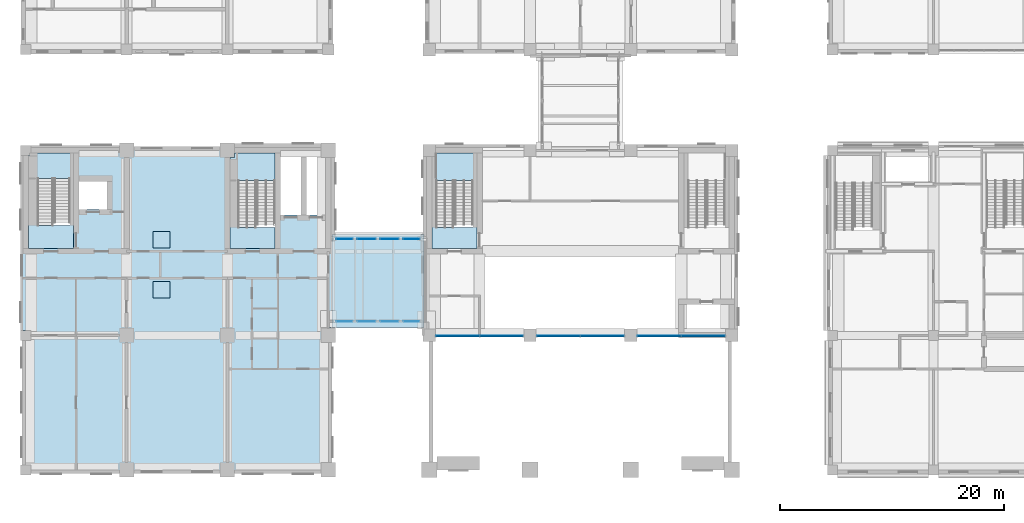
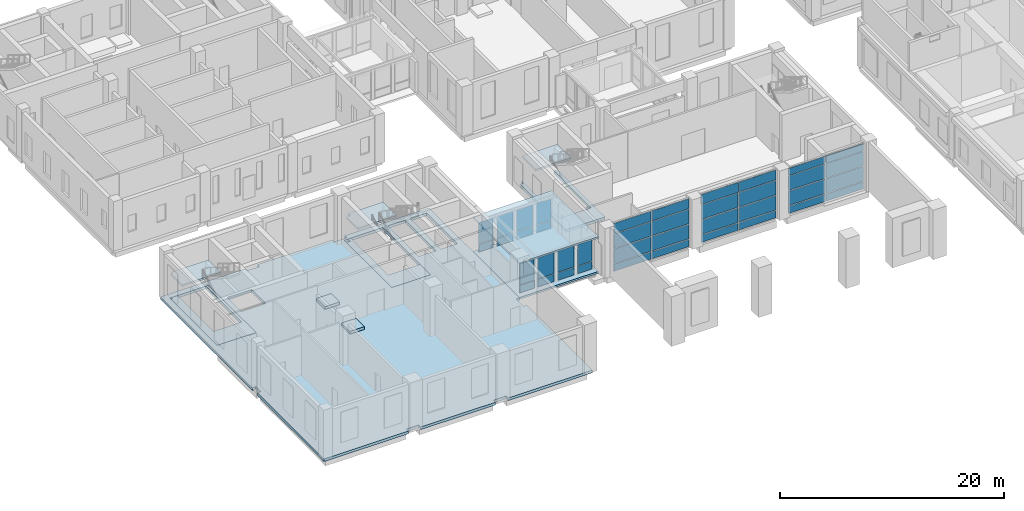
# One storey, part 22 of 52: 40 plates, 11 slabs, 14 elements without a shape of their own.
"""IFC4 building model written with IfcOpenShell, lengths in metres."""

from ifc_helpers import new_model, si_unit, direction, frame, origin, origin_2d, place, context, subcontext, project, spatial, polyline, rectangle, outline, extrude, material, layer, layer_set, type_object, element, aggregate, save


model = new_model("IFC4")

# Units and contexts
model_context = context("Model", 3, precision=1e-05, world=origin(), true_north=direction((0.0, 1.0)))
body_context = subcontext(model_context, "Body", "Model", "MODEL_VIEW")
ifc_project = project(units=[si_unit("LENGTHUNIT", "METRE"), si_unit("AREAUNIT", "SQUARE_METRE"), si_unit("VOLUMEUNIT", "CUBIC_METRE"), si_unit("PLANEANGLEUNIT", "RADIAN"), si_unit("MASSUNIT", "GRAM", prefix="KILO")], contexts=[model_context])

# Site, building, storey
site_placement = place(None, origin())
site = spatial("IfcSite", under=ifc_project, at=site_placement, CompositionType="ELEMENT")
building_placement = place(site_placement, origin())
building = spatial("IfcBuilding", under=site, at=building_placement, Name="Aurelan Courthouse", CompositionType="ELEMENT")
storey_placement = place(building_placement, frame((0.0, 0.0, 6.60009765625)))
storey = spatial("IfcBuildingStorey", under=building, at=storey_placement, Name="L01", CompositionType="ELEMENT", Elevation=6.60009765625)

# Curtain wall, plates
ifc_material_1 = material(Name="Bronze-finished aluminium and glass", Category="aluminium")
ifc_layer_1 = layer(ifc_material_1, 0.14990234375)
ifc_layer_set_1 = layer_set([ifc_layer_1], Name="Bronze-finished aluminium and glass")
curtain_wall_type_1 = type_object("IfcCurtainWallType", Name="Curtain wall 7900 x 5400", PredefinedType="NOTDEFINED", material=ifc_layer_set_1)
curtain_wall_1_placement = place(storey_placement, origin())
curtain_wall_1 = element("IfcCurtainWall", 1, at=curtain_wall_1_placement, inside=storey, type_object=curtain_wall_type_1, Name="Curtain wall CW-V1-L01-S01", PredefinedType="NOTDEFINED")
ifc_material_2 = material(Name="Limestone cladding", Category="masonry")
ifc_layer_2 = layer(ifc_material_2, 0.080078125, Name="Facing")
ifc_material_3 = material(Name="Bronze sheet cladding", Category="bronze")
ifc_layer_3 = layer(ifc_material_3, 0.02001953125, Name="Back sheet")
ifc_layer_set_2 = layer_set([ifc_layer_2, ifc_layer_3], Name="Limestone cladding")
plate_type_1 = type_object("IfcPlateType", Name="Limestone spandrel panel with bronze back sheet 100", PredefinedType="CURTAIN_PANEL", material=ifc_layer_set_2)
plate_1_placement = place(storey_placement, frame((38.544921875, 11.925048828125, 4.23974609375), z_axis=(0.0, 0.0, 1.0), x_axis=(1.0, 0.0, 0.0)))
plate_1 = element("IfcPlate", 2, at=plate_1_placement, type_object=plate_type_1, Name="CW-V1-L01-S01 spandrel panel 1.4", PredefinedType="CURTAIN_PANEL", context=body_context, shape_type="SweptSolid", body=[
    extrude(rectangle(XDim=3.830078125, YDim=0.10009765625, at=origin_2d()), origin(), (0.0, 0.0, 1.0), 1.080078125),
])
plate_2_placement = place(storey_placement, frame((42.455078125, 11.925048828125, 4.23974609375), z_axis=(0.0, 0.0, 1.0), x_axis=(1.0, 0.0, 0.0)))
plate_2 = element("IfcPlate", 3, at=plate_2_placement, type_object=plate_type_1, Name="CW-V1-L01-S01 spandrel panel 2.4", PredefinedType="CURTAIN_PANEL", context=body_context, shape_type="SweptSolid", body=[
    extrude(rectangle(XDim=3.830078125, YDim=0.10009765625, at=origin_2d()), origin(), (0.0, 0.0, 1.0), 1.080078125),
])

curtain_wall_2_placement = place(storey_placement, origin())
curtain_wall_2 = element("IfcCurtainWall", 4, at=curtain_wall_2_placement, inside=storey, type_object=curtain_wall_type_1, Name="Curtain wall CW-V1-L01-S02", PredefinedType="NOTDEFINED")
plate_3_placement = place(storey_placement, frame((47.544921875, 11.925048828125, 4.23974609375), z_axis=(0.0, 0.0, 1.0), x_axis=(1.0, 0.0, 0.0)))
plate_3 = element("IfcPlate", 5, at=plate_3_placement, type_object=plate_type_1, Name="CW-V1-L01-S02 spandrel panel 1.4", PredefinedType="CURTAIN_PANEL", context=body_context, shape_type="SweptSolid", body=[
    extrude(rectangle(XDim=3.830078125, YDim=0.10009765625, at=origin_2d()), origin(), (0.0, 0.0, 1.0), 1.080078125),
])
plate_4_placement = place(storey_placement, frame((51.455078125, 11.925048828125, 4.23974609375), z_axis=(0.0, 0.0, 1.0), x_axis=(1.0, 0.0, 0.0)))
plate_4 = element("IfcPlate", 6, at=plate_4_placement, type_object=plate_type_1, Name="CW-V1-L01-S02 spandrel panel 2.4", PredefinedType="CURTAIN_PANEL", context=body_context, shape_type="SweptSolid", body=[
    extrude(rectangle(XDim=3.830078125, YDim=0.10009765625, at=origin_2d()), origin(), (0.0, 0.0, 1.0), 1.080078125),
])

ifc_layer_4 = layer(ifc_material_1, 0.14990234375)
ifc_layer_set_3 = layer_set([ifc_layer_4], Name="Bronze-finished aluminium and glass")
curtain_wall_type_2 = type_object("IfcCurtainWallType", Name="Curtain wall 7900 x 5100", PredefinedType="NOTDEFINED", material=ifc_layer_set_3)
curtain_wall_3_placement = place(storey_placement, origin())
curtain_wall_3 = element("IfcCurtainWall", 7, at=curtain_wall_3_placement, inside=storey, type_object=curtain_wall_type_2, Name="Curtain wall CW-V1-L01-S03", PredefinedType="NOTDEFINED")
plate_5_placement = place(storey_placement, frame((56.544921875, 11.925048828125, 4.23974609375), z_axis=(0.0, 0.0, 1.0), x_axis=(1.0, 0.0, 0.0)))
plate_5 = element("IfcPlate", 8, at=plate_5_placement, type_object=plate_type_1, Name="CW-V1-L01-S03 spandrel panel 1.4", PredefinedType="CURTAIN_PANEL", context=body_context, shape_type="SweptSolid", body=[
    extrude(rectangle(XDim=3.830078125, YDim=0.10009765625, at=origin_2d()), origin(), (0.0, 0.0, 1.0), 0.780029296875),
])
plate_6_placement = place(storey_placement, frame((60.455078125, 11.925048828125, 4.23974609375), z_axis=(0.0, 0.0, 1.0), x_axis=(1.0, 0.0, 0.0)))
plate_6 = element("IfcPlate", 9, at=plate_6_placement, type_object=plate_type_1, Name="CW-V1-L01-S03 spandrel panel 2.4", PredefinedType="CURTAIN_PANEL", context=body_context, shape_type="SweptSolid", body=[
    extrude(rectangle(XDim=3.830078125, YDim=0.10009765625, at=origin_2d()), origin(), (0.0, 0.0, 1.0), 0.780029296875),
])

# Slabs
ifc_material_4 = material(Name="Concrete C40", Category="concrete")
ifc_layer_5 = layer(ifc_material_4, 0.199951171875)
ifc_layer_set_4 = layer_set([ifc_layer_5], Name="Concrete C40")
slab_type_1 = type_object("IfcSlabType", Name="PT bridge floor slab 200", PredefinedType="FLOOR", material=ifc_layer_set_4)
slab_1_placement = place(storey_placement, frame((0.0, 0.0, -0.2001953125)))
element("IfcSlab", 10, at=slab_1_placement, inside=storey, type_object=slab_type_1, Name="Passage floor slab BR1", PredefinedType="FLOOR", context=body_context, shape_type="SweptSolid", body=[
    extrude(outline(polyline([(27.35009765625, 12.699951171875), (35.52490234375, 12.699951171875), (35.52490234375, 21.0), (27.35009765625, 21.0), (27.35009765625, 12.699951171875)])), origin(), (0.0, 0.0, 1.0), 0.2001953125),
])
ifc_layer_6 = layer(ifc_material_4, 0.300048828125)
ifc_layer_set_5 = layer_set([ifc_layer_6], Name="Concrete C40")
slab_type_2 = type_object("IfcSlabType", Name="PT floor slab 300", PredefinedType="FLOOR", material=ifc_layer_set_5)
slab_2_placement = place(storey_placement, frame((0.0, 0.0, -0.300048828125)))
element("IfcSlab", 11, at=slab_2_placement, inside=storey, type_object=slab_type_2, Name="Floor slab SL-L01-05", PredefinedType="FLOOR", context=body_context, shape_type="SweptSolid", body=[
    extrude(outline(polyline([(0.0, 12.449951171875), (0.0, 11.550048828125), (-0.35009765625, 11.550048828125), (-0.35009765625, 0.449951171875), (-0.35009765625, -0.35009765625), (0.449951171875, -0.35009765625), (8.35009765625, -0.35009765625), (8.35009765625, 0.0), (9.64990234375, 0.0), (9.64990234375, -0.35009765625), (17.35009765625, -0.35009765625), (17.35009765625, 0.0), (18.64990234375, 0.0), (18.64990234375, -0.35009765625), (26.35009765625, -0.35009765625), (27.35009765625, -0.35009765625), (27.35009765625, 0.64990234375), (27.35009765625, 11.35009765625), (27.0, 11.35009765625), (27.0, 12.64990234375), (27.35009765625, 12.64990234375), (27.35009765625, 27.85009765625), (27.35009765625, 28.85009765625), (26.35009765625, 28.85009765625), (18.64990234375, 28.85009765625), (18.64990234375, 28.5), (17.35009765625, 28.5), (17.35009765625, 28.85009765625), (9.64990234375, 28.85009765625), (9.64990234375, 28.5), (8.35009765625, 28.5), (8.35009765625, 28.85009765625), (0.449951171875, 28.85009765625), (-0.35009765625, 28.85009765625), (-0.35009765625, 28.050048828125), (-0.35009765625, 12.449951171875), (0.0, 12.449951171875)]), holes=[polyline([(26.75, 28.25), (26.75, 22.75), (25.050048828125, 22.75), (25.050048828125, 28.25), (26.75, 28.25)]), polyline([(22.75, 28.25), (24.550048828125, 28.25), (24.550048828125, 22.75), (22.75, 22.75), (22.75, 28.25)]), polyline([(22.25, 28.25), (22.25, 19.75), (18.25, 19.75), (18.25, 28.25), (22.25, 28.25)]), polyline([(4.75, 23.25), (4.75, 25.75), (7.25, 25.75), (7.25, 23.25), (4.75, 23.25)]), polyline([(4.25, 19.75), (0.25, 19.75), (0.25, 28.25), (4.25, 28.25), (4.25, 19.75)])]), origin(), (0.0, 0.0, 1.0), 0.300048828125),
])

# Curtain wall, plate
ifc_layer_7 = layer(ifc_material_1, 0.1201171875)
ifc_layer_set_6 = layer_set([ifc_layer_7], Name="Bronze-finished aluminium and glass")
curtain_wall_type_3 = type_object("IfcCurtainWallType", Name="Passage glazing 1594 x 3300", PredefinedType="NOTDEFINED", material=ifc_layer_set_6)
curtain_wall_4_placement = place(storey_placement, origin())
curtain_wall_4 = element("IfcCurtainWall", 12, at=curtain_wall_4_placement, inside=storey, type_object=curtain_wall_type_3, Name="Curtain wall CW-L01-BR101", PredefinedType="NOTDEFINED")
ifc_material_5 = material(Name="Laminated low-emissivity glass", Category="glass")
ifc_layer_8 = layer(ifc_material_5, 0.028076171875)
ifc_layer_set_7 = layer_set([ifc_layer_8], Name="Laminated low-emissivity glass")
plate_type_2 = type_object("IfcPlateType", Name="Passage glazing glass panel 28", PredefinedType="CURTAIN_PANEL", material=ifc_layer_set_7)
plate_7_placement = place(storey_placement, frame((28.447021484375, 13.25, 0.927490234375), z_axis=(0.0, 0.0, 1.0), x_axis=(1.0, 0.0, 0.0)))
plate_7 = element("IfcPlate", 13, at=plate_7_placement, type_object=plate_type_2, Name="CW-L01-BR101 panel 1.2", PredefinedType="CURTAIN_PANEL", context=body_context, shape_type="SweptSolid", body=[
    extrude(rectangle(XDim=1.48388671875, YDim=0.028076171875, at=origin_2d()), origin(), (0.0, 0.0, 1.0), 2.3173828125),
])

ifc_layer_9 = layer(ifc_material_1, 0.1201171875)
ifc_layer_set_8 = layer_set([ifc_layer_9], Name="Bronze-finished aluminium and glass")
curtain_wall_type_4 = type_object("IfcCurtainWallType", Name="Passage glazing 1744 x 3300", PredefinedType="NOTDEFINED", material=ifc_layer_set_8)
curtain_wall_5_placement = place(storey_placement, origin())
curtain_wall_5 = element("IfcCurtainWall", 14, at=curtain_wall_5_placement, inside=storey, type_object=curtain_wall_type_4, Name="Curtain wall CW-L01-BR102", PredefinedType="NOTDEFINED")
plate_8_placement = place(storey_placement, frame((30.41552734375, 13.25, 0.927490234375), z_axis=(0.0, 0.0, 1.0), x_axis=(1.0, 0.0, 0.0)))
plate_8 = element("IfcPlate", 15, at=plate_8_placement, type_object=plate_type_2, Name="CW-L01-BR102 panel 1.2", PredefinedType="CURTAIN_PANEL", context=body_context, shape_type="SweptSolid", body=[
    extrude(rectangle(XDim=1.6337890625, YDim=0.028076171875, at=origin_2d()), origin(), (0.0, 0.0, 1.0), 2.3173828125),
])

curtain_wall_6_placement = place(storey_placement, origin())
curtain_wall_6 = element("IfcCurtainWall", 16, at=curtain_wall_6_placement, inside=storey, type_object=curtain_wall_type_4, Name="Curtain wall CW-L01-BR103", PredefinedType="NOTDEFINED")
plate_9_placement = place(storey_placement, frame((32.45947265625, 13.25, 0.927490234375), z_axis=(0.0, 0.0, 1.0), x_axis=(1.0, 0.0, 0.0)))
plate_9 = element("IfcPlate", 17, at=plate_9_placement, type_object=plate_type_2, Name="CW-L01-BR103 panel 1.2", PredefinedType="CURTAIN_PANEL", context=body_context, shape_type="SweptSolid", body=[
    extrude(rectangle(XDim=1.6337890625, YDim=0.028076171875, at=origin_2d()), origin(), (0.0, 0.0, 1.0), 2.3173828125),
])

curtain_wall_7_placement = place(storey_placement, origin())
curtain_wall_7 = element("IfcCurtainWall", 18, at=curtain_wall_7_placement, inside=storey, type_object=curtain_wall_type_3, Name="Curtain wall CW-L01-BR104", PredefinedType="NOTDEFINED")
plate_10_placement = place(storey_placement, frame((34.42822265625, 13.25, 0.927490234375), z_axis=(0.0, 0.0, 1.0), x_axis=(1.0, 0.0, 0.0)))
plate_10 = element("IfcPlate", 19, at=plate_10_placement, type_object=plate_type_2, Name="CW-L01-BR104 panel 1.2", PredefinedType="CURTAIN_PANEL", context=body_context, shape_type="SweptSolid", body=[
    extrude(rectangle(XDim=1.483642578125, YDim=0.028076171875, at=origin_2d()), origin(), (0.0, 0.0, 1.0), 2.3173828125),
])

curtain_wall_8_placement = place(storey_placement, origin())
curtain_wall_8 = element("IfcCurtainWall", 20, at=curtain_wall_8_placement, inside=storey, type_object=curtain_wall_type_3, Name="Curtain wall CW-L01-BR105", PredefinedType="NOTDEFINED")
plate_11_placement = place(storey_placement, frame((28.447021484375, 20.60009765625, 0.927490234375), z_axis=(0.0, 0.0, 1.0), x_axis=(1.0, 0.0, 0.0)))
plate_11 = element("IfcPlate", 21, at=plate_11_placement, type_object=plate_type_2, Name="CW-L01-BR105 panel 1.2", PredefinedType="CURTAIN_PANEL", context=body_context, shape_type="SweptSolid", body=[
    extrude(rectangle(XDim=1.48388671875, YDim=0.028076171875, at=origin_2d()), origin(), (0.0, 0.0, 1.0), 2.3173828125),
])

curtain_wall_9_placement = place(storey_placement, origin())
curtain_wall_9 = element("IfcCurtainWall", 22, at=curtain_wall_9_placement, inside=storey, type_object=curtain_wall_type_4, Name="Curtain wall CW-L01-BR106", PredefinedType="NOTDEFINED")
plate_12_placement = place(storey_placement, frame((30.41552734375, 20.60009765625, 0.927490234375), z_axis=(0.0, 0.0, 1.0), x_axis=(1.0, 0.0, 0.0)))
plate_12 = element("IfcPlate", 23, at=plate_12_placement, type_object=plate_type_2, Name="CW-L01-BR106 panel 1.2", PredefinedType="CURTAIN_PANEL", context=body_context, shape_type="SweptSolid", body=[
    extrude(rectangle(XDim=1.6337890625, YDim=0.028076171875, at=origin_2d()), origin(), (0.0, 0.0, 1.0), 2.3173828125),
])

curtain_wall_10_placement = place(storey_placement, origin())
curtain_wall_10 = element("IfcCurtainWall", 24, at=curtain_wall_10_placement, inside=storey, type_object=curtain_wall_type_4, Name="Curtain wall CW-L01-BR107", PredefinedType="NOTDEFINED")
plate_13_placement = place(storey_placement, frame((32.45947265625, 20.60009765625, 0.927490234375), z_axis=(0.0, 0.0, 1.0), x_axis=(1.0, 0.0, 0.0)))
plate_13 = element("IfcPlate", 25, at=plate_13_placement, type_object=plate_type_2, Name="CW-L01-BR107 panel 1.2", PredefinedType="CURTAIN_PANEL", context=body_context, shape_type="SweptSolid", body=[
    extrude(rectangle(XDim=1.6337890625, YDim=0.028076171875, at=origin_2d()), origin(), (0.0, 0.0, 1.0), 2.3173828125),
])

curtain_wall_11_placement = place(storey_placement, origin())
curtain_wall_11 = element("IfcCurtainWall", 26, at=curtain_wall_11_placement, inside=storey, type_object=curtain_wall_type_3, Name="Curtain wall CW-L01-BR108", PredefinedType="NOTDEFINED")
plate_14_placement = place(storey_placement, frame((34.42822265625, 20.60009765625, 0.927490234375), z_axis=(0.0, 0.0, 1.0), x_axis=(1.0, 0.0, 0.0)))
plate_14 = element("IfcPlate", 27, at=plate_14_placement, type_object=plate_type_2, Name="CW-L01-BR108 panel 1.2", PredefinedType="CURTAIN_PANEL", context=body_context, shape_type="SweptSolid", body=[
    extrude(rectangle(XDim=1.483642578125, YDim=0.028076171875, at=origin_2d()), origin(), (0.0, 0.0, 1.0), 2.3173828125),
])

# Slab
ifc_material_6 = material(Name="Composite steel deck S355 with concrete topping C30/37", Category="concrete")
ifc_layer_10 = layer(ifc_material_6, 0.199951171875)
ifc_layer_set_9 = layer_set([ifc_layer_10], Name="Composite steel deck S355 with concrete topping C30/37")
slab_type_3 = type_object("IfcSlabType", Name="Passage roof deck 200", PredefinedType="ROOF", material=ifc_layer_set_9)
slab_3_placement = place(storey_placement, frame((0.0, 0.0, 3.599853515625)))
element("IfcSlab", 28, at=slab_3_placement, inside=storey, type_object=slab_type_3, Name="Passage roof BR1", PredefinedType="ROOF", context=body_context, shape_type="SweptSolid", body=[
    extrude(outline(polyline([(27.35009765625, 12.699951171875), (35.52490234375, 12.699951171875), (35.52490234375, 21.0), (27.35009765625, 21.0), (27.35009765625, 12.699951171875)])), origin(), (0.0, 0.0, 1.0), 0.199951171875),
])

# Plate
ifc_material_7 = material(Name="Bronze-finished aluminium", Category="aluminium")
ifc_layer_11 = layer(ifc_material_7, 0.0400390625)
ifc_layer_set_10 = layer_set([ifc_layer_11], Name="Bronze-finished aluminium")
plate_type_3 = type_object("IfcPlateType", Name="Passage sill panel 40", PredefinedType="CURTAIN_PANEL", material=ifc_layer_set_10)
plate_15_placement = place(storey_placement, frame((28.447021484375, 13.25, 0.054931640625), z_axis=(0.0, 0.0, 1.0), x_axis=(1.0, 0.0, 0.0)))
plate_15 = element("IfcPlate", 29, at=plate_15_placement, type_object=plate_type_3, Name="CW-L01-BR101 panel 1.1", PredefinedType="CURTAIN_PANEL", context=body_context, shape_type="SweptSolid", body=[
    extrude(rectangle(XDim=1.48388671875, YDim=0.0400390625, at=origin_2d()), origin(), (0.0, 0.0, 1.0), 0.8173828125),
])

aggregate(curtain_wall_4, [plate_15, plate_7])

plate_16_placement = place(storey_placement, frame((30.41552734375, 13.25, 0.054931640625), z_axis=(0.0, 0.0, 1.0), x_axis=(1.0, 0.0, 0.0)))
plate_16 = element("IfcPlate", 30, at=plate_16_placement, type_object=plate_type_3, Name="CW-L01-BR102 panel 1.1", PredefinedType="CURTAIN_PANEL", context=body_context, shape_type="SweptSolid", body=[
    extrude(rectangle(XDim=1.6337890625, YDim=0.0400390625, at=origin_2d()), origin(), (0.0, 0.0, 1.0), 0.8173828125),
])

aggregate(curtain_wall_5, [plate_16, plate_8])

plate_17_placement = place(storey_placement, frame((32.45947265625, 13.25, 0.054931640625), z_axis=(0.0, 0.0, 1.0), x_axis=(1.0, 0.0, 0.0)))
plate_17 = element("IfcPlate", 31, at=plate_17_placement, type_object=plate_type_3, Name="CW-L01-BR103 panel 1.1", PredefinedType="CURTAIN_PANEL", context=body_context, shape_type="SweptSolid", body=[
    extrude(rectangle(XDim=1.6337890625, YDim=0.0400390625, at=origin_2d()), origin(), (0.0, 0.0, 1.0), 0.8173828125),
])

aggregate(curtain_wall_6, [plate_17, plate_9])

plate_18_placement = place(storey_placement, frame((34.42822265625, 13.25, 0.054931640625), z_axis=(0.0, 0.0, 1.0), x_axis=(1.0, 0.0, 0.0)))
plate_18 = element("IfcPlate", 32, at=plate_18_placement, type_object=plate_type_3, Name="CW-L01-BR104 panel 1.1", PredefinedType="CURTAIN_PANEL", context=body_context, shape_type="SweptSolid", body=[
    extrude(rectangle(XDim=1.483642578125, YDim=0.0400390625, at=origin_2d()), origin(), (0.0, 0.0, 1.0), 0.8173828125),
])

aggregate(curtain_wall_7, [plate_18, plate_10])

plate_19_placement = place(storey_placement, frame((28.447021484375, 20.60009765625, 0.054931640625), z_axis=(0.0, 0.0, 1.0), x_axis=(1.0, 0.0, 0.0)))
plate_19 = element("IfcPlate", 33, at=plate_19_placement, type_object=plate_type_3, Name="CW-L01-BR105 panel 1.1", PredefinedType="CURTAIN_PANEL", context=body_context, shape_type="SweptSolid", body=[
    extrude(rectangle(XDim=1.48388671875, YDim=0.0400390625, at=origin_2d()), origin(), (0.0, 0.0, 1.0), 0.8173828125),
])

aggregate(curtain_wall_8, [plate_19, plate_11])

plate_20_placement = place(storey_placement, frame((30.41552734375, 20.60009765625, 0.054931640625), z_axis=(0.0, 0.0, 1.0), x_axis=(1.0, 0.0, 0.0)))
plate_20 = element("IfcPlate", 34, at=plate_20_placement, type_object=plate_type_3, Name="CW-L01-BR106 panel 1.1", PredefinedType="CURTAIN_PANEL", context=body_context, shape_type="SweptSolid", body=[
    extrude(rectangle(XDim=1.6337890625, YDim=0.0400390625, at=origin_2d()), origin(), (0.0, 0.0, 1.0), 0.8173828125),
])

aggregate(curtain_wall_9, [plate_20, plate_12])

plate_21_placement = place(storey_placement, frame((32.45947265625, 20.60009765625, 0.054931640625), z_axis=(0.0, 0.0, 1.0), x_axis=(1.0, 0.0, 0.0)))
plate_21 = element("IfcPlate", 35, at=plate_21_placement, type_object=plate_type_3, Name="CW-L01-BR107 panel 1.1", PredefinedType="CURTAIN_PANEL", context=body_context, shape_type="SweptSolid", body=[
    extrude(rectangle(XDim=1.6337890625, YDim=0.0400390625, at=origin_2d()), origin(), (0.0, 0.0, 1.0), 0.8173828125),
])

aggregate(curtain_wall_10, [plate_21, plate_13])

plate_22_placement = place(storey_placement, frame((34.42822265625, 20.60009765625, 0.054931640625), z_axis=(0.0, 0.0, 1.0), x_axis=(1.0, 0.0, 0.0)))
plate_22 = element("IfcPlate", 36, at=plate_22_placement, type_object=plate_type_3, Name="CW-L01-BR108 panel 1.1", PredefinedType="CURTAIN_PANEL", context=body_context, shape_type="SweptSolid", body=[
    extrude(rectangle(XDim=1.483642578125, YDim=0.0400390625, at=origin_2d()), origin(), (0.0, 0.0, 1.0), 0.8173828125),
])

aggregate(curtain_wall_11, [plate_22, plate_14])

ifc_layer_12 = layer(ifc_material_7, 0.050048828125)
ifc_layer_set_11 = layer_set([ifc_layer_12], Name="Bronze-finished aluminium")
plate_type_4 = type_object("IfcPlateType", Name="Sill panel 50", PredefinedType="CURTAIN_PANEL", material=ifc_layer_set_11)
plate_23_placement = place(storey_placement, frame((38.544921875, 11.925048828125, 0.080078125), z_axis=(0.0, 0.0, 1.0), x_axis=(1.0, 0.0, 0.0)))
plate_23 = element("IfcPlate", 37, at=plate_23_placement, type_object=plate_type_4, Name="CW-V1-L01-S01 sill panel 1.1", PredefinedType="CURTAIN_PANEL", context=body_context, shape_type="SweptSolid", body=[
    extrude(rectangle(XDim=3.830078125, YDim=0.050048828125, at=origin_2d()), origin(), (0.0, 0.0, 1.0), 0.780029296875),
])

plate_24_placement = place(storey_placement, frame((42.455078125, 11.925048828125, 0.080078125), z_axis=(0.0, 0.0, 1.0), x_axis=(1.0, 0.0, 0.0)))
plate_24 = element("IfcPlate", 38, at=plate_24_placement, type_object=plate_type_4, Name="CW-V1-L01-S01 sill panel 2.1", PredefinedType="CURTAIN_PANEL", context=body_context, shape_type="SweptSolid", body=[
    extrude(rectangle(XDim=3.830078125, YDim=0.050048828125, at=origin_2d()), origin(), (0.0, 0.0, 1.0), 0.780029296875),
])

plate_25_placement = place(storey_placement, frame((47.544921875, 11.925048828125, 0.080078125), z_axis=(0.0, 0.0, 1.0), x_axis=(1.0, 0.0, 0.0)))
plate_25 = element("IfcPlate", 39, at=plate_25_placement, type_object=plate_type_4, Name="CW-V1-L01-S02 sill panel 1.1", PredefinedType="CURTAIN_PANEL", context=body_context, shape_type="SweptSolid", body=[
    extrude(rectangle(XDim=3.830078125, YDim=0.050048828125, at=origin_2d()), origin(), (0.0, 0.0, 1.0), 0.780029296875),
])

plate_26_placement = place(storey_placement, frame((51.455078125, 11.925048828125, 0.080078125), z_axis=(0.0, 0.0, 1.0), x_axis=(1.0, 0.0, 0.0)))
plate_26 = element("IfcPlate", 40, at=plate_26_placement, type_object=plate_type_4, Name="CW-V1-L01-S02 sill panel 2.1", PredefinedType="CURTAIN_PANEL", context=body_context, shape_type="SweptSolid", body=[
    extrude(rectangle(XDim=3.830078125, YDim=0.050048828125, at=origin_2d()), origin(), (0.0, 0.0, 1.0), 0.780029296875),
])

plate_27_placement = place(storey_placement, frame((56.544921875, 11.925048828125, 0.080078125), z_axis=(0.0, 0.0, 1.0), x_axis=(1.0, 0.0, 0.0)))
plate_27 = element("IfcPlate", 41, at=plate_27_placement, type_object=plate_type_4, Name="CW-V1-L01-S03 sill panel 1.1", PredefinedType="CURTAIN_PANEL", context=body_context, shape_type="SweptSolid", body=[
    extrude(rectangle(XDim=3.830078125, YDim=0.050048828125, at=origin_2d()), origin(), (0.0, 0.0, 1.0), 0.780029296875),
])

plate_28_placement = place(storey_placement, frame((60.455078125, 11.925048828125, 0.080078125), z_axis=(0.0, 0.0, 1.0), x_axis=(1.0, 0.0, 0.0)))
plate_28 = element("IfcPlate", 42, at=plate_28_placement, type_object=plate_type_4, Name="CW-V1-L01-S03 sill panel 2.1", PredefinedType="CURTAIN_PANEL", context=body_context, shape_type="SweptSolid", body=[
    extrude(rectangle(XDim=3.830078125, YDim=0.050048828125, at=origin_2d()), origin(), (0.0, 0.0, 1.0), 0.780029296875),
])

# Stair, slab
ifc_material_8 = material(Name="Concrete C30", Category="concrete")
stair_type_1 = type_object("IfcStairType", Name="Half-turn stair 1600 wide 31 risers", PredefinedType="HALF_TURN_STAIR", material=ifc_material_8)
stair_1_placement = place(storey_placement, origin())
stair_1 = element("IfcStair", 43, at=stair_1_placement, inside=storey, type_object=stair_type_1, Name="Stair ST-1W-L01", PredefinedType="HALF_TURN_STAIR")
ifc_layer_13 = layer(ifc_material_8, 0.300048828125)
ifc_layer_set_12 = layer_set([ifc_layer_13], Name="Concrete C30")
slab_type_4 = type_object("IfcSlabType", Name="Stair floor landing 300 thick", PredefinedType="LANDING", material=ifc_layer_set_12)
slab_4_placement = place(storey_placement, frame((0.0, 0.0, -0.300048828125)))
slab_4 = element("IfcSlab", 44, at=slab_4_placement, type_object=slab_type_4, Name="Stair ST-1W-L01 floor landing", PredefinedType="LANDING", context=body_context, shape_type="SweptSolid", body=[
    extrude(outline(polyline([(36.60009765625, 21.611083984375), (38.300048828125, 21.611083984375), (39.89990234375, 21.611083984375), (39.89990234375, 28.25), (40.25, 28.25), (40.25, 19.75), (36.25, 19.75), (36.25, 27.949951171875), (36.550048828125, 27.949951171875), (36.550048828125, 28.25), (36.60009765625, 28.25), (36.60009765625, 21.611083984375)])), origin(), (0.0, 0.0, 1.0), 0.300048828125),
])

stair_2_placement = place(storey_placement, origin())
stair_2 = element("IfcStair", 45, at=stair_2_placement, inside=storey, type_object=stair_type_1, Name="Stair ST-5A-L01", PredefinedType="HALF_TURN_STAIR")
slab_5_placement = place(storey_placement, frame((0.0, 0.0, -0.300048828125)))
slab_5 = element("IfcSlab", 46, at=slab_5_placement, type_object=slab_type_4, Name="Stair ST-5A-L01 floor landing", PredefinedType="LANDING", context=body_context, shape_type="SweptSolid", body=[
    extrude(outline(polyline([(18.949951171875, 21.611083984375), (20.64990234375, 21.611083984375), (22.25, 21.611083984375), (22.25, 21.60888671875), (22.25, 19.75), (18.25, 19.75), (18.25, 27.85009765625), (18.64990234375, 27.85009765625), (18.64990234375, 28.25), (18.949951171875, 28.25), (18.949951171875, 21.611083984375)])), origin(), (0.0, 0.0, 1.0), 0.300048828125),
])

stair_type_2 = type_object("IfcStairType", Name="Half-turn stair 1400 wide 31 risers", PredefinedType="HALF_TURN_STAIR", material=ifc_material_8)
stair_3_placement = place(storey_placement, origin())
stair_3 = element("IfcStair", 47, at=stair_3_placement, inside=storey, type_object=stair_type_2, Name="Stair ST-5B-L01", PredefinedType="HALF_TURN_STAIR")
slab_6_placement = place(storey_placement, frame((0.0, 0.0, -0.300048828125)))
slab_6 = element("IfcSlab", 48, at=slab_6_placement, type_object=slab_type_4, Name="Stair ST-5B-L01 floor landing", PredefinedType="LANDING", context=body_context, shape_type="SweptSolid", body=[
    extrude(outline(polyline([(1.06005859375, 28.25), (1.06005859375, 21.81103515625), (2.56005859375, 21.81103515625), (3.9599609375, 21.81103515625), (3.9599609375, 28.25), (4.25, 28.25), (4.25, 19.75), (0.409912109375, 19.75), (0.39990234375, 19.75), (0.25, 19.75), (0.25, 28.050048828125), (0.449951171875, 28.050048828125), (0.449951171875, 28.25), (1.06005859375, 28.25)])), origin(), (0.0, 0.0, 1.0), 0.300048828125),
])

# Slab
ifc_layer_14 = layer(ifc_material_8, 0.199951171875)
ifc_layer_set_13 = layer_set([ifc_layer_14], Name="Concrete C30")
slab_type_5 = type_object("IfcSlabType", Name="Stair half landing 200 thick", PredefinedType="LANDING", material=ifc_layer_set_13)
slab_7_placement = place(storey_placement, frame((0.0, 0.0, 2.5869140625)))
slab_7 = element("IfcSlab", 49, at=slab_7_placement, type_object=slab_type_5, Name="Stair ST-1W-L01 half landing", PredefinedType="LANDING", context=body_context, shape_type="SweptSolid", body=[
    extrude(outline(polyline([(36.60009765625, 28.25), (40.25, 28.25), (40.25, 25.81005859375), (36.60009765625, 25.81005859375), (36.60009765625, 28.25)])), origin(), (0.0, 0.0, 1.0), 0.2001953125),
])

aggregate(stair_1, [slab_7, slab_4])

slab_8_placement = place(storey_placement, frame((0.0, 0.0, 2.5869140625)))
slab_8 = element("IfcSlab", 50, at=slab_8_placement, type_object=slab_type_5, Name="Stair ST-5A-L01 half landing", PredefinedType="LANDING", context=body_context, shape_type="SweptSolid", body=[
    extrude(outline(polyline([(18.25, 27.85009765625), (18.64990234375, 27.85009765625), (18.64990234375, 28.25), (22.25, 28.25), (22.25, 25.81005859375), (18.25, 25.81005859375), (18.25, 27.85009765625)])), origin(), (0.0, 0.0, 1.0), 0.2001953125),
])

aggregate(stair_2, [slab_8, slab_5])

slab_9_placement = place(storey_placement, frame((0.0, 0.0, 2.5869140625)))
slab_9 = element("IfcSlab", 51, at=slab_9_placement, type_object=slab_type_5, Name="Stair ST-5B-L01 half landing", PredefinedType="LANDING", context=body_context, shape_type="SweptSolid", body=[
    extrude(outline(polyline([(4.25, 28.25), (4.25, 26.010009765625), (0.25, 26.010009765625), (0.25, 28.050048828125), (0.449951171875, 28.050048828125), (0.449951171875, 28.25), (4.25, 28.25)])), origin(), (0.0, 0.0, 1.0), 0.2001953125),
])

aggregate(stair_3, [slab_9, slab_6])

# Plate
ifc_layer_15 = layer(ifc_material_5, 0.0439453125)
ifc_layer_set_14 = layer_set([ifc_layer_15], Name="Laminated low-emissivity glass")
plate_type_5 = type_object("IfcPlateType", Name="Vision glass panel 44", PredefinedType="CURTAIN_PANEL", material=ifc_layer_set_14)
plate_29_placement = place(storey_placement, frame((38.544921875, 11.925048828125, 0.93994140625), z_axis=(0.0, 0.0, 1.0), x_axis=(1.0, 0.0, 0.0)))
plate_29 = element("IfcPlate", 52, at=plate_29_placement, type_object=plate_type_5, Name="CW-V1-L01-S01 vision panel 1.2", PredefinedType="CURTAIN_PANEL", context=body_context, shape_type="SweptSolid", body=[
    extrude(rectangle(XDim=3.830078125, YDim=0.0439453125, at=origin_2d()), origin(), (0.0, 0.0, 1.0), 1.570068359375),
])

plate_30_placement = place(storey_placement, frame((38.544921875, 11.925048828125, 2.58984375), z_axis=(0.0, 0.0, 1.0), x_axis=(1.0, 0.0, 0.0)))
plate_30 = element("IfcPlate", 53, at=plate_30_placement, type_object=plate_type_5, Name="CW-V1-L01-S01 vision panel 1.3", PredefinedType="CURTAIN_PANEL", context=body_context, shape_type="SweptSolid", body=[
    extrude(rectangle(XDim=3.830078125, YDim=0.0439453125, at=origin_2d()), origin(), (0.0, 0.0, 1.0), 1.570068359375),
])

plate_31_placement = place(storey_placement, frame((42.455078125, 11.925048828125, 0.93994140625), z_axis=(0.0, 0.0, 1.0), x_axis=(1.0, 0.0, 0.0)))
plate_31 = element("IfcPlate", 54, at=plate_31_placement, type_object=plate_type_5, Name="CW-V1-L01-S01 vision panel 2.2", PredefinedType="CURTAIN_PANEL", context=body_context, shape_type="SweptSolid", body=[
    extrude(rectangle(XDim=3.830078125, YDim=0.0439453125, at=origin_2d()), origin(), (0.0, 0.0, 1.0), 1.570068359375),
])

plate_32_placement = place(storey_placement, frame((42.455078125, 11.925048828125, 2.58984375), z_axis=(0.0, 0.0, 1.0), x_axis=(1.0, 0.0, 0.0)))
plate_32 = element("IfcPlate", 55, at=plate_32_placement, type_object=plate_type_5, Name="CW-V1-L01-S01 vision panel 2.3", PredefinedType="CURTAIN_PANEL", context=body_context, shape_type="SweptSolid", body=[
    extrude(rectangle(XDim=3.830078125, YDim=0.0439453125, at=origin_2d()), origin(), (0.0, 0.0, 1.0), 1.570068359375),
])

aggregate(curtain_wall_1, [plate_23, plate_29, plate_30, plate_1, plate_24, plate_31, plate_32, plate_2])

plate_33_placement = place(storey_placement, frame((47.544921875, 11.925048828125, 0.93994140625), z_axis=(0.0, 0.0, 1.0), x_axis=(1.0, 0.0, 0.0)))
plate_33 = element("IfcPlate", 56, at=plate_33_placement, type_object=plate_type_5, Name="CW-V1-L01-S02 vision panel 1.2", PredefinedType="CURTAIN_PANEL", context=body_context, shape_type="SweptSolid", body=[
    extrude(rectangle(XDim=3.830078125, YDim=0.0439453125, at=origin_2d()), origin(), (0.0, 0.0, 1.0), 1.570068359375),
])

plate_34_placement = place(storey_placement, frame((47.544921875, 11.925048828125, 2.58984375), z_axis=(0.0, 0.0, 1.0), x_axis=(1.0, 0.0, 0.0)))
plate_34 = element("IfcPlate", 57, at=plate_34_placement, type_object=plate_type_5, Name="CW-V1-L01-S02 vision panel 1.3", PredefinedType="CURTAIN_PANEL", context=body_context, shape_type="SweptSolid", body=[
    extrude(rectangle(XDim=3.830078125, YDim=0.0439453125, at=origin_2d()), origin(), (0.0, 0.0, 1.0), 1.570068359375),
])

plate_35_placement = place(storey_placement, frame((51.455078125, 11.925048828125, 0.93994140625), z_axis=(0.0, 0.0, 1.0), x_axis=(1.0, 0.0, 0.0)))
plate_35 = element("IfcPlate", 58, at=plate_35_placement, type_object=plate_type_5, Name="CW-V1-L01-S02 vision panel 2.2", PredefinedType="CURTAIN_PANEL", context=body_context, shape_type="SweptSolid", body=[
    extrude(rectangle(XDim=3.830078125, YDim=0.0439453125, at=origin_2d()), origin(), (0.0, 0.0, 1.0), 1.570068359375),
])

plate_36_placement = place(storey_placement, frame((51.455078125, 11.925048828125, 2.58984375), z_axis=(0.0, 0.0, 1.0), x_axis=(1.0, 0.0, 0.0)))
plate_36 = element("IfcPlate", 59, at=plate_36_placement, type_object=plate_type_5, Name="CW-V1-L01-S02 vision panel 2.3", PredefinedType="CURTAIN_PANEL", context=body_context, shape_type="SweptSolid", body=[
    extrude(rectangle(XDim=3.830078125, YDim=0.0439453125, at=origin_2d()), origin(), (0.0, 0.0, 1.0), 1.570068359375),
])

aggregate(curtain_wall_2, [plate_25, plate_33, plate_34, plate_3, plate_26, plate_35, plate_36, plate_4])

plate_37_placement = place(storey_placement, frame((56.544921875, 11.925048828125, 0.93994140625), z_axis=(0.0, 0.0, 1.0), x_axis=(1.0, 0.0, 0.0)))
plate_37 = element("IfcPlate", 60, at=plate_37_placement, type_object=plate_type_5, Name="CW-V1-L01-S03 vision panel 1.2", PredefinedType="CURTAIN_PANEL", context=body_context, shape_type="SweptSolid", body=[
    extrude(rectangle(XDim=3.830078125, YDim=0.0439453125, at=origin_2d()), origin(), (0.0, 0.0, 1.0), 1.570068359375),
])

plate_38_placement = place(storey_placement, frame((56.544921875, 11.925048828125, 2.58984375), z_axis=(0.0, 0.0, 1.0), x_axis=(1.0, 0.0, 0.0)))
plate_38 = element("IfcPlate", 61, at=plate_38_placement, type_object=plate_type_5, Name="CW-V1-L01-S03 vision panel 1.3", PredefinedType="CURTAIN_PANEL", context=body_context, shape_type="SweptSolid", body=[
    extrude(rectangle(XDim=3.830078125, YDim=0.0439453125, at=origin_2d()), origin(), (0.0, 0.0, 1.0), 1.570068359375),
])

plate_39_placement = place(storey_placement, frame((60.455078125, 11.925048828125, 0.93994140625), z_axis=(0.0, 0.0, 1.0), x_axis=(1.0, 0.0, 0.0)))
plate_39 = element("IfcPlate", 62, at=plate_39_placement, type_object=plate_type_5, Name="CW-V1-L01-S03 vision panel 2.2", PredefinedType="CURTAIN_PANEL", context=body_context, shape_type="SweptSolid", body=[
    extrude(rectangle(XDim=3.830078125, YDim=0.0439453125, at=origin_2d()), origin(), (0.0, 0.0, 1.0), 1.570068359375),
])

plate_40_placement = place(storey_placement, frame((60.455078125, 11.925048828125, 2.58984375), z_axis=(0.0, 0.0, 1.0), x_axis=(1.0, 0.0, 0.0)))
plate_40 = element("IfcPlate", 63, at=plate_40_placement, type_object=plate_type_5, Name="CW-V1-L01-S03 vision panel 2.3", PredefinedType="CURTAIN_PANEL", context=body_context, shape_type="SweptSolid", body=[
    extrude(rectangle(XDim=3.830078125, YDim=0.0439453125, at=origin_2d()), origin(), (0.0, 0.0, 1.0), 1.570068359375),
])

aggregate(curtain_wall_3, [plate_27, plate_37, plate_38, plate_5, plate_28, plate_39, plate_40, plate_6])

# Slabs
ifc_layer_16 = layer(ifc_material_8, 0.300048828125)
ifc_layer_set_15 = layer_set([ifc_layer_16], Name="Concrete C30")
slab_type_6 = type_object("IfcSlabType", Name="Witness dais 300", PredefinedType="FLOOR", material=ifc_layer_set_15)
slab_10_placement = place(storey_placement, origin())
element("IfcSlab", 64, at=slab_10_placement, inside=storey, type_object=slab_type_6, Name="Witness dais Civil Courtroom 5.01.01", PredefinedType="FLOOR", context=body_context, shape_type="SweptSolid", body=[
    extrude(outline(polyline([(11.375, 15.324951171875), (12.875, 15.324951171875), (12.875, 16.824951171875), (11.375, 16.824951171875), (11.375, 15.324951171875)])), origin(), (0.0, 0.0, 1.0), 0.2998046875),
])
slab_11_placement = place(storey_placement, origin())
element("IfcSlab", 65, at=slab_11_placement, inside=storey, type_object=slab_type_6, Name="Witness dais Civil Courtroom 5.01.02", PredefinedType="FLOOR", context=body_context, shape_type="SweptSolid", body=[
    extrude(outline(polyline([(11.375, 19.77490234375), (12.875, 19.77490234375), (12.875, 21.27490234375), (11.375, 21.27490234375), (11.375, 19.77490234375)])), origin(), (0.0, 0.0, 1.0), 0.2998046875),
])

save(model, "model.ifc")
